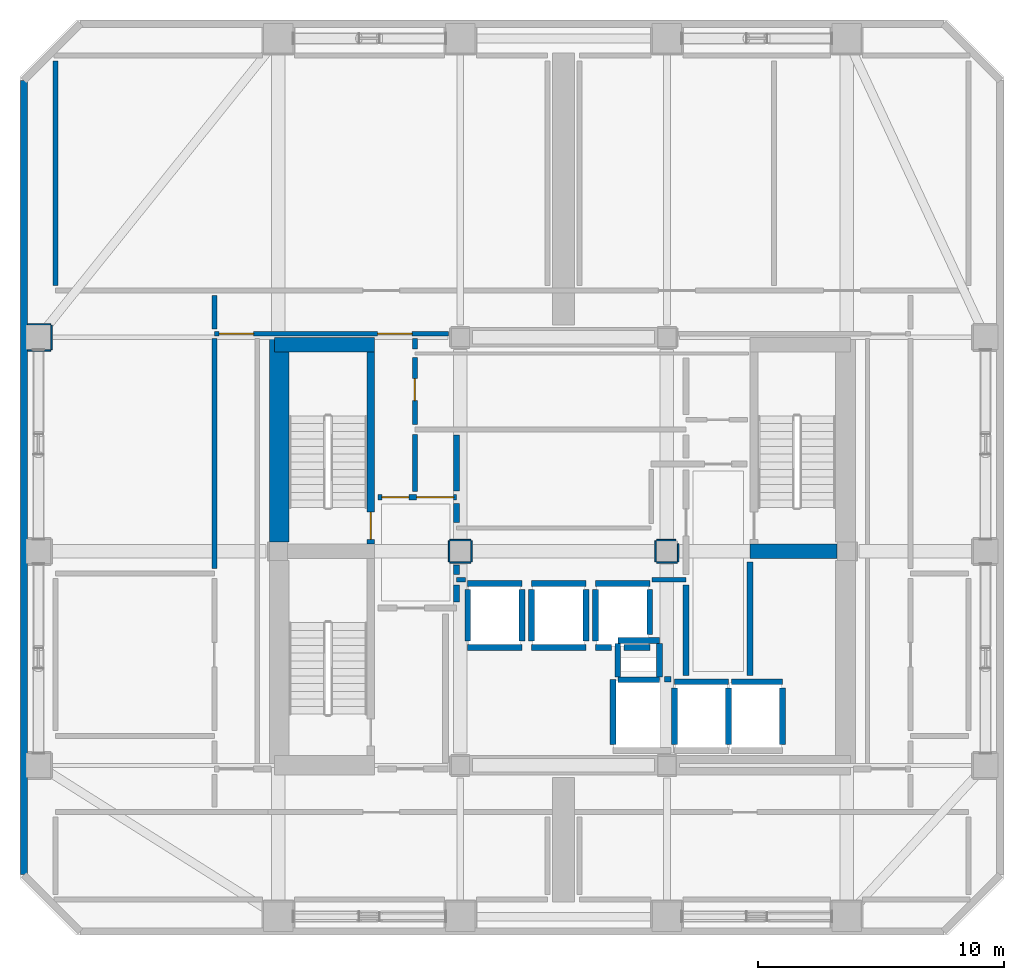
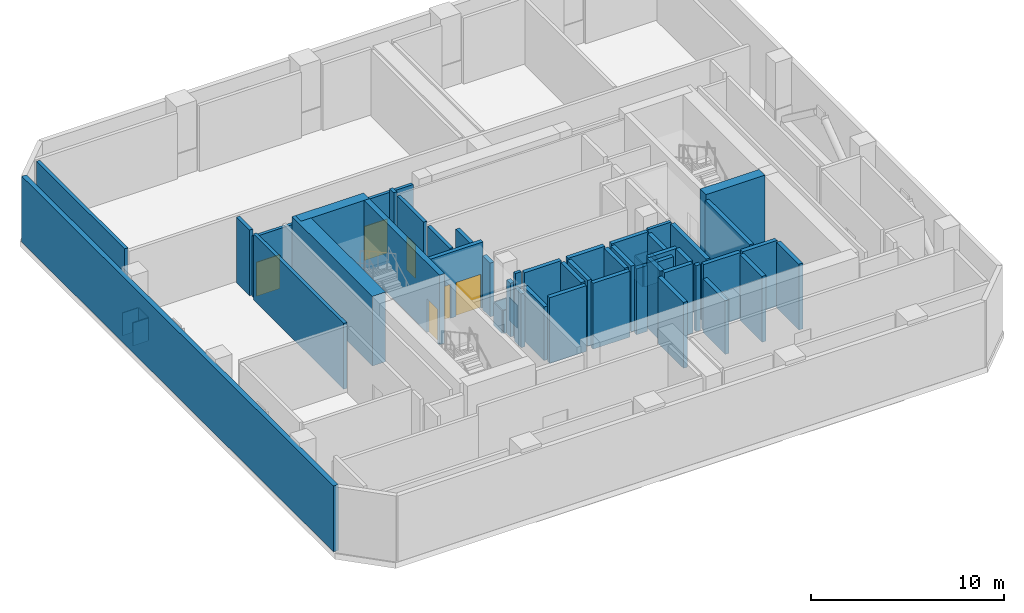
# One storey, part 9 of 12: 56 walls, 6 doors, 6 openings.
"""IFC4 building model written with IfcOpenShell, lengths in metres."""

import ifcopenshell
import ifcopenshell.guid

model = None  # the IFC model being written
_history = None  # IfcOwnerHistory: only IFC2X3 demands one
_inside = {}  # id of a spatial element -> (the spatial element, [elements in it])
_under = {}  # id of a project, library or spatial element -> (it, [spatial elements below it])
_declared = {}  # id of a project -> (the project, [libraries it declares])
_typed = {}  # id of a type object -> (the type object, [elements of that type])
_made_of = {}  # id of a material, layer set ... -> (it, [elements and type objects made of it])


def new_model(schema):
    """Start an empty IFC model of exactly this schema.

    Asked for "IFC4X3", IfcOpenShell would pick the latest addendum, in which some entities
    have other attributes; the version numbers below select the first issue.
    IFC2X3 requires an IfcOwnerHistory on every rooted entity: one is made here for all.
    """
    global model, _history
    if schema == "IFC4X3":
        model = ifcopenshell.file(schema_version=(4, 3, 0, 0))
    else:
        model = ifcopenshell.file(schema=schema)
    _inside.clear()
    _under.clear()
    _declared.clear()
    _typed.clear()
    _made_of.clear()
    _history = None
    if model.schema == "IFC2X3":
        org = make("IfcOrganization", Name="unknown")
        user = make(
            "IfcPersonAndOrganization",
            ThePerson=make("IfcPerson", FamilyName="unknown"),
            TheOrganization=org,
        )
        app = make(
            "IfcApplication",
            ApplicationDeveloper=org,
            Version="unknown",
            ApplicationFullName="unknown",
            ApplicationIdentifier="unknown",
        )
        _history = make(
            "IfcOwnerHistory",
            OwningUser=user,
            OwningApplication=app,
            ChangeAction="ADDED",
            CreationDate=0,
        )
    return model


def make(cls, **values):
    """One entity of the class cls with the attributes given. An attribute that is None is left unset."""
    return model.create_entity(
        cls, **{name: value for name, value in values.items() if value is not None}
    )


def rooted(cls, **values):
    """An entity with a GlobalId (a new one), such as an element, a storey or a relation."""
    return make(cls, GlobalId=ifcopenshell.guid.new(), OwnerHistory=_history, **values)


def si_unit(unit_type, name, prefix=None):
    """IfcSIUnit, for example si_unit("LENGTHUNIT", "METRE", prefix="MILLI")."""
    return make("IfcSIUnit", UnitType=unit_type, Prefix=prefix, Name=name)


def assignment(units):
    """IfcUnitAssignment: the units of a project."""
    return None if units is None else make("IfcUnitAssignment", Units=units)


def point(xyz):
    """IfcCartesianPoint."""
    return None if xyz is None else make("IfcCartesianPoint", Coordinates=xyz)


def direction(xyz):
    """IfcDirection."""
    return None if xyz is None else make("IfcDirection", DirectionRatios=xyz)


def frame(location, z_axis=None, x_axis=None):
    """IfcAxis2Placement3D, a coordinate frame: its origin and axes. An axis left out is left unset."""
    return make(
        "IfcAxis2Placement3D",
        Location=point(location),
        Axis=direction(z_axis),
        RefDirection=direction(x_axis),
    )


def frame_2d(location, x_axis=None):
    """IfcAxis2Placement2D, a coordinate frame in the plane: its origin and x axis."""
    return make(
        "IfcAxis2Placement2D", Location=point(location), RefDirection=direction(x_axis)
    )


def origin():
    """The frame at (0, 0, 0) with its axes left unset."""
    return frame((0.0, 0.0, 0.0))


def place(relative_to, where):
    """IfcLocalPlacement: puts the frame where relative to a parent placement (None: the world)."""
    return make(
        "IfcLocalPlacement", PlacementRelTo=relative_to, RelativePlacement=where
    )


def context(
    kind, dimensions, precision=None, world=None, true_north=None, identifier=None
):
    """IfcGeometricRepresentationContext, for example the 3D "Model" context."""
    return make(
        "IfcGeometricRepresentationContext",
        ContextIdentifier=identifier,
        ContextType=kind,
        CoordinateSpaceDimension=dimensions,
        Precision=precision,
        WorldCoordinateSystem=world,
        TrueNorth=true_north,
    )


def subcontext(parent, identifier, kind, view, scale=None):
    """IfcGeometricRepresentationSubContext, for example "Body" below "Model"."""
    return make(
        "IfcGeometricRepresentationSubContext",
        ContextIdentifier=identifier,
        ContextType=kind,
        ParentContext=parent,
        TargetScale=scale,
        TargetView=view,
    )


def project(units=None, contexts=None):
    """IfcProject with its units and contexts."""
    return rooted(
        "IfcProject",
        Name="project",
        RepresentationContexts=contexts,
        UnitsInContext=assignment(units),
    )


def spatial(cls, under=None, at=None, **own):
    """A site, building, storey or space (cls), placed at a placement, below another one or the project."""
    s = rooted(cls, ObjectPlacement=at, **own)
    if under is not None:
        _under.setdefault(under.id(), (under, []))[1].append(s)
    return s


def profile(cls, at=None, kind="AREA", **sizes):
    """A parametric profile (cls). Its sizes go by their IFC names, for example OverallWidth=200.0."""
    return make(cls, ProfileType=kind, Position=at, **sizes)


def rectangle(**sizes):
    """IfcRectangleProfileDef."""
    return profile("IfcRectangleProfileDef", **sizes)


def extrude(swept, where, along, depth):
    """IfcExtrudedAreaSolid: the profile swept, set in the frame where, extruded along a direction by depth."""
    return make(
        "IfcExtrudedAreaSolid",
        SweptArea=swept,
        Position=where,
        ExtrudedDirection=direction(along),
        Depth=depth,
    )


def shape(context_of_items, identifier, shape_type, items):
    """IfcShapeRepresentation: the items that make up one representation, for example the "Body"."""
    return make(
        "IfcShapeRepresentation",
        ContextOfItems=context_of_items,
        RepresentationIdentifier=identifier,
        RepresentationType=shape_type,
        Items=items,
    )


def material(Name=None, Category=None):
    """IfcMaterial."""
    return make("IfcMaterial", Name=Name, Category=Category)


def layer(
    of_material, thickness, ventilated=None, Name=None, Category=None, Priority=None
):
    """IfcMaterialLayer: one layer of a wall or slab, of a material (None: an air gap)."""
    return make(
        "IfcMaterialLayer",
        Material=of_material,
        LayerThickness=thickness,
        IsVentilated=ventilated,
        Name=Name,
        Category=Category,
        Priority=Priority,
    )


def layer_set(layers, Name=None):
    """IfcMaterialLayerSet."""
    return make("IfcMaterialLayerSet", MaterialLayers=layers, LayerSetName=Name)


def made_of(thing, what):
    """Note that an element or type object is made of a material, layer set ...; save() writes the relation."""
    if what is not None:
        _made_of.setdefault(what.id(), (what, []))[1].append(thing)
    return thing


def type_object(cls, material=None, **own):
    """A type object (cls), such as IfcWallType, which elements share."""
    return made_of(rooted(cls, **own), material)


def element(
    cls,
    number,
    at=None,
    inside=None,
    cuts=None,
    type_object=None,
    material=None,
    context=None,
    identifier="Body",
    shape_type=None,
    held_by="IfcProductDefinitionShape",
    body=None,
    shapes=None,
    **own,
):
    """One element of the class cls, such as IfcWall. Its Tag is "e" and its number.

    at: its placement. inside: the storey or other place that contains it. cuts: it is an
    opening in that element (IfcRelVoidsElement). A single representation is given by context,
    identifier, shape_type and body (its items); several are given by shapes. held_by: the class
    of the entity that holds the representations. save() writes the other relations.
    """
    e = rooted(cls, Tag="e%d" % number, ObjectPlacement=at, **own)
    if body is not None:
        shapes = [shape(context, identifier, shape_type, body)]
    if shapes is not None:
        e.Representation = make(held_by, Representations=shapes)
    if inside is not None:
        _inside.setdefault(inside.id(), (inside, []))[1].append(e)
    if cuts is not None:
        rooted(
            "IfcRelVoidsElement", RelatingBuildingElement=cuts, RelatedOpeningElement=e
        )
    if type_object is not None:
        _typed.setdefault(type_object.id(), (type_object, []))[1].append(e)
    return made_of(e, material)


def fill(opening, filler):
    """IfcRelFillsElement: the door or window that sits in an opening."""
    return rooted(
        "IfcRelFillsElement",
        RelatingOpeningElement=opening,
        RelatedBuildingElement=filler,
    )


def aggregate(whole, parts):
    """IfcRelAggregates: a whole, such as a stair, and the parts it consists of."""
    return rooted("IfcRelAggregates", RelatingObject=whole, RelatedObjects=parts)


def save(model, path):
    """Write the relations noted so far, then the file.

    IfcRelAggregates (storeys below a building ...), IfcRelContainedInSpatialStructure (elements
    in a storey), IfcRelDefinesByType, IfcRelAssociatesMaterial and IfcRelDeclares: one each for
    every whole, place, type object, material and project.
    """
    for whole, parts in _under.values():
        aggregate(whole, parts)
    for where, things in _inside.values():
        rooted(
            "IfcRelContainedInSpatialStructure",
            RelatedElements=things,
            RelatingStructure=where,
        )
    for kind, things in _typed.values():
        rooted("IfcRelDefinesByType", RelatedObjects=things, RelatingType=kind)
    for what, things in _made_of.values():
        rooted("IfcRelAssociatesMaterial", RelatedObjects=things, RelatingMaterial=what)
    for by, libraries in _declared.values():
        rooted("IfcRelDeclares", RelatingContext=by, RelatedDefinitions=libraries)
    model.write(path)


model = new_model("IFC4")

# Units and contexts
model_context = context("Model", 3, precision=1e-05, world=origin(), true_north=direction((0.0, 1.0)))
body_context = subcontext(model_context, "Body", "Model", "MODEL_VIEW")
ifc_project = project(units=[si_unit("LENGTHUNIT", "METRE"), si_unit("AREAUNIT", "SQUARE_METRE"), si_unit("VOLUMEUNIT", "CUBIC_METRE"), si_unit("PLANEANGLEUNIT", "RADIAN"), si_unit("MASSUNIT", "GRAM", prefix="KILO")], contexts=[model_context])

# Site, building, storey
site_placement = place(None, origin())
site = spatial("IfcSite", under=ifc_project, at=site_placement, CompositionType="ELEMENT")
building_placement = place(site_placement, origin())
building = spatial("IfcBuilding", under=site, at=building_placement, Name="Solanera Arch Residences", CompositionType="ELEMENT")
storey_placement = place(building_placement, frame((0.0, 0.0, 172.47998046875)))
storey = spatial("IfcBuildingStorey", under=building, at=storey_placement, Name="L50", CompositionType="ELEMENT", Elevation=172.47998046875)

# Walls
ifc_material_1 = material(Name="Fire-Rated Gypsum Stud Partition", Category="gypsum")
ifc_layer_1 = layer(ifc_material_1, 0.06005859375)
ifc_layer_set_1 = layer_set([ifc_layer_1], Name="Fire-Rated Gypsum Stud Partition")
wall_type_1 = type_object("IfcWallType", Name="Column Acoustic Furring Wall 60", PredefinedType="PARTITIONING", material=ifc_layer_set_1)
for number, where, z_axis, x_axis, name in (
    (1, (20.375, 30.242919921875, 0.0), (0.0, 0.0, 1.0), (1.0, 0.0, 0.0), "L50 Column Furring 7S"),
    (2, (20.375, 31.156982421875, 0.0), (0.0, 0.0, 1.0), (1.0, 0.0, 0.0), "L50 Column Furring 7N"),
    (3, (20.343017578125, 30.27490234375, 0.0), (0.0, 0.0, 1.0), (0.0, 1.0, 0.0), "L50 Column Furring 7W"),
    (4, (21.257080078125, 30.27490234375, 0.0), (0.0, 0.0, 1.0), (0.0, 1.0, 0.0), "L50 Column Furring 7E"),
    (5, (28.77490234375, 30.242919921875, 0.0), (0.0, 0.0, 1.0), (1.0, 0.0, 0.0), "L50 Column Furring 8S"),
):
    element("IfcWall", number, at=place(storey_placement, frame(where, z_axis=z_axis, x_axis=x_axis)), inside=storey, type_object=wall_type_1, Name=name, PredefinedType="PARTITIONING", context=body_context, shape_type="SweptSolid", body=[
        extrude(rectangle(XDim=0.85009765625, YDim=0.06005859375, at=frame_2d((0.425048828125, 0.0))), origin(), (0.0, 0.0, 1.0), 1.449951171875),
    ])
wall_1_placement = place(storey_placement, frame((28.77490234375, 31.156982421875, 0.0), z_axis=(0.0, 0.0, 1.0), x_axis=(1.0, 0.0, 0.0)))
element("IfcWall", 6, at=wall_1_placement, inside=storey, type_object=wall_type_1, Name="L50 Column Furring 8N", PredefinedType="PARTITIONING", context=body_context, shape_type="SweptSolid", body=[
    extrude(rectangle(XDim=0.783203125, YDim=0.06005859375, at=frame_2d((0.3916015625, 0.0))), origin(), (0.0, 0.0, 1.0), 1.449951171875),
])
wall_2_placement = place(storey_placement, frame((28.742919921875, 30.27490234375, 0.0), z_axis=(0.0, 0.0, 1.0), x_axis=(0.0, 1.0, 0.0)))
element("IfcWall", 7, at=wall_2_placement, inside=storey, type_object=wall_type_1, Name="L50 Column Furring 8W", PredefinedType="PARTITIONING", context=body_context, shape_type="SweptSolid", body=[
    extrude(rectangle(XDim=0.85009765625, YDim=0.06005859375, at=frame_2d((0.425048828125, 0.0))), origin(), (0.0, 0.0, 1.0), 1.449951171875),
])
wall_3_placement = place(storey_placement, frame((29.656982421875, 30.27490234375, 0.0), z_axis=(0.0, 0.0, 1.0), x_axis=(0.0, 1.0, 0.0)))
element("IfcWall", 8, at=wall_3_placement, inside=storey, type_object=wall_type_1, Name="L50 Column Furring 8E", PredefinedType="PARTITIONING", context=body_context, shape_type="SweptSolid", body=[
    extrude(rectangle(XDim=0.732177734375, YDim=0.06005859375, at=frame_2d((0.3662109375, 0.0))), origin(), (0.0, 0.0, 1.0), 1.449951171875),
])
for number, where, z_axis, x_axis, name in (
    (9, (3.2099609375, 38.867919921875, 0.0), (0.0, 0.0, 1.0), (1.0, 0.0, 0.0), "L50 Column Furring 21S"),
    (10, (3.2099609375, 39.931884765625, 0.0), (0.0, 0.0, 1.0), (1.0, 0.0, 0.0), "L50 Column Furring 21N"),
):
    element("IfcWall", number, at=place(storey_placement, frame(where, z_axis=z_axis, x_axis=x_axis)), inside=storey, type_object=wall_type_1, Name=name, PredefinedType="PARTITIONING", context=body_context, shape_type="SweptSolid", body=[
        extrude(rectangle(XDim=0.93994140625, YDim=0.06005859375, at=frame_2d((0.469970703125, 0.0))), origin(), (0.0, 0.0, 1.0), 1.449951171875),
    ])
wall_4_placement = place(storey_placement, frame((4.181884765625, 38.89990234375, 0.0), z_axis=(0.0, 0.0, 1.0), x_axis=(0.0, 1.0, 0.0)))
element("IfcWall", 11, at=wall_4_placement, inside=storey, type_object=wall_type_1, Name="L50 Column Furring 21E", PredefinedType="PARTITIONING", context=body_context, shape_type="SweptSolid", body=[
    extrude(rectangle(XDim=1.0, YDim=0.06005859375, at=frame_2d((0.5, 0.0))), origin(), (0.0, 0.0, 1.0), 1.449951171875),
])

# Wall, opening, door
ifc_material_2 = material(Name="Concrete C40/50 (f'c = 45 MPa)", Category="concrete")
ifc_layer_2 = layer(ifc_material_2, 0.320068359375)
ifc_layer_set_2 = layer_set([ifc_layer_2], Name="Concrete C40/50 (f'c = 45 MPa)")
wall_type_2 = type_object("IfcWallType", Name="Core Shear Wall CW-320", PredefinedType="SHEAR", material=ifc_layer_set_2)
wall_5_placement = place(storey_placement, frame((17.159912109375, 31.0, 0.0), z_axis=(0.0, 0.0, 1.0), x_axis=(0.0, 1.0, 0.0)))
wall_5 = element("IfcWall", 12, at=wall_5_placement, inside=storey, type_object=wall_type_2, Name="L50 Stair ST-T1 East Shear Wall", PredefinedType="SHEAR", context=body_context, shape_type="SweptSolid", body=[
    extrude(rectangle(XDim=7.800048828125, YDim=0.320068359375, at=frame_2d((3.89990234375, 0.0))), origin(), (0.0, 0.0, 1.0), 4.39990234375),
])
opening_1_placement = place(wall_5_placement, frame((0.18994140625, 0.0, 0.0)))
opening_1 = element("IfcOpeningElement", 13, at=opening_1_placement, cuts=wall_5, Name="Opening DF-01", PredefinedType="OPENING", context=body_context, shape_type="SweptSolid", body=[
    extrude(rectangle(XDim=1.10009765625, YDim=2.14990234375, at=frame_2d((0.550048828125, 1.074951171875))), frame((0.0, 0.169921875, 0.0), z_axis=(0.0, -1.0, 0.0), x_axis=(1.0, 0.0, 0.0)), (0.0, 0.0, 1.0), 0.3401),
])
ifc_material_3 = material(Name="Fire-Rated Architectural Hardwood", Category="wood")
door_type_1 = type_object("IfcDoorType", Name="Stair Exit Fire Door DF-01", OperationType="NOTDEFINED", PredefinedType="DOOR", material=ifc_material_3)
door_1_placement = place(opening_1_placement, origin())
door_1 = element("IfcDoor", 14, at=door_1_placement, inside=storey, type_object=door_type_1, Name="DR-L50-STAIR-ST-T1", OperationType="SINGLE_SWING_RIGHT", OverallHeight=2.14990234375, OverallWidth=1.10009765625, PredefinedType="DOOR", context=body_context, shape_type="SweptSolid", body=[
    extrude(rectangle(XDim=1.10009765625, YDim=2.14990234375, at=frame_2d((0.550048828125, 1.074951171875))), frame((0.0, 0.02490234375, 0.0), z_axis=(0.0, -1.0, 0.0), x_axis=(1.0, 0.0, 0.0)), (0.0, 0.0, 1.0), 0.050048828125),
])
fill(opening_1, door_1)

# Walls
ifc_material_4 = material(Name="Concrete C40/50 (f'c = 45 MPa)", Category="concrete")
ifc_layer_3 = layer(ifc_material_4, 0.60009765625)
ifc_layer_set_3 = layer_set([ifc_layer_3], Name="Concrete C40/50 (f'c = 45 MPa)")
wall_type_3 = type_object("IfcWallType", Name="Core Shear Wall CW-600", PredefinedType="SHEAR", material=ifc_layer_set_3)
wall_6_placement = place(storey_placement, frame((13.239990234375, 39.10009765625, 0.0), z_axis=(0.0, 0.0, 1.0), x_axis=(1.0, 0.0, 0.0)))
element("IfcWall", 15, at=wall_6_placement, inside=storey, type_object=wall_type_3, Name="L50 North-West Core Shear Wall", PredefinedType="SHEAR", context=body_context, shape_type="SweptSolid", body=[
    extrude(rectangle(XDim=4.080078125, YDim=0.60009765625, at=frame_2d((2.0400390625, 0.0))), origin(), (0.0, 0.0, 1.0), 4.39990234375),
])
wall_7_placement = place(storey_placement, frame((32.580078125, 30.699951171875, 0.0), z_axis=(0.0, 0.0, 1.0), x_axis=(1.0, 0.0, 0.0)))
element("IfcWall", 16, at=wall_7_placement, inside=storey, type_object=wall_type_3, Name="L50 East Stair Far-Landing Shear Wall", PredefinedType="SHEAR", context=body_context, shape_type="SweptSolid", body=[
    extrude(rectangle(XDim=3.5400390625, YDim=0.60009765625, at=frame_2d((1.77001953125, 0.0))), origin(), (0.0, 0.0, 1.0), 4.39990234375),
])
ifc_material_5 = material(Name="Concrete C40/50 (f'c = 45 MPa)", Category="concrete")
ifc_layer_4 = layer(ifc_material_5, 0.800048828125)
ifc_layer_set_4 = layer_set([ifc_layer_4], Name="Concrete C40/50 (f'c = 45 MPa)")
wall_type_4 = type_object("IfcWallType", Name="Core Shear Wall CW-800", PredefinedType="SHEAR", material=ifc_layer_set_4)
wall_8_placement = place(storey_placement, frame((13.43994140625, 31.080078125, 0.0), z_axis=(0.0, 0.0, 1.0), x_axis=(0.0, 1.0, 0.0)))
element("IfcWall", 17, at=wall_8_placement, inside=storey, type_object=wall_type_4, Name="L50 West Core North Shear Wall", PredefinedType="SHEAR", context=body_context, shape_type="SweptSolid", body=[
    extrude(rectangle(XDim=8.31982421875, YDim=0.800048828125, at=frame_2d((4.159912109375, 0.0))), origin(), (0.0, 0.0, 1.0), 4.39990234375),
])
ifc_material_6 = material(Name="Autoclaved Aerated Concrete Blockwork", Category="masonry")
ifc_layer_5 = layer(ifc_material_6, 0.179931640625)
ifc_layer_set_5 = layer_set([ifc_layer_5], Name="Autoclaved Aerated Concrete Blockwork")
wall_type_5 = type_object("IfcWallType", Name="Corridor Fire Partition 180", PredefinedType="PARTITIONING", material=ifc_layer_set_5)
wall_9_placement = place(storey_placement, frame((20.64990234375, 29.550048828125, 0.0), z_axis=(0.0, 0.0, 1.0), x_axis=(1.0, 0.0, 0.0)))
element("IfcWall", 18, at=wall_9_placement, inside=storey, type_object=wall_type_5, Name="L50 Interior Partition H17 1", PredefinedType="PARTITIONING", context=body_context, shape_type="SweptSolid", body=[
    extrude(rectangle(XDim=0.357177734375, YDim=0.179931640625, at=frame_2d((0.1787109375, 0.0))), origin(), (0.0, 0.0, 1.0), 4.159912109375),
])
wall_10_placement = place(storey_placement, frame((28.593017578125, 29.550048828125, 0.0), z_axis=(0.0, 0.0, 1.0), x_axis=(1.0, 0.0, 0.0)))
element("IfcWall", 19, at=wall_10_placement, inside=storey, type_object=wall_type_5, Name="L50 Interior Partition H17 2", PredefinedType="PARTITIONING", context=body_context, shape_type="SweptSolid", body=[
    extrude(rectangle(XDim=1.382080078125, YDim=0.179931640625, at=frame_2d((0.69091796875, 0.0))), origin(), (0.0, 0.0, 1.0), 4.159912109375),
])

# Wall, openings, doors
wall_11_placement = place(storey_placement, frame((10.800048828125, 39.550048828125, 0.0), z_axis=(0.0, 0.0, 1.0), x_axis=(1.0, 0.0, 0.0)))
wall_11 = element("IfcWall", 20, at=wall_11_placement, inside=storey, type_object=wall_type_5, Name="L50 Interior Partition H20 1", PredefinedType="PARTITIONING", context=body_context, shape_type="SweptSolid", body=[
    extrude(rectangle(XDim=9.52294921875, YDim=0.179931640625, at=frame_2d((4.761474609375, 0.0))), origin(), (0.0, 0.0, 1.0), 3.842041015625),
])
opening_2_placement = place(wall_11_placement, frame((6.635009765625, 0.0, 0.0)))
opening_2 = element("IfcOpeningElement", 21, at=opening_2_placement, cuts=wall_11, Name="Opening DF-03", PredefinedType="OPENING", context=body_context, shape_type="SweptSolid", body=[
    extrude(rectangle(XDim=1.39990234375, YDim=2.14990234375, at=frame_2d((0.699951171875, 1.074951171875))), frame((0.0, 0.10009765625, 0.0), z_axis=(0.0, -1.0, 0.0), x_axis=(1.0, 0.0, 0.0)), (0.0, 0.0, 1.0), 0.1999),
])
opening_3_placement = place(wall_11_placement, frame((0.198974609375, 0.0, 0.0)))
opening_3 = element("IfcOpeningElement", 22, at=opening_3_placement, cuts=wall_11, Name="Opening DF-03", PredefinedType="OPENING", context=body_context, shape_type="SweptSolid", body=[
    extrude(rectangle(XDim=1.39990234375, YDim=2.14990234375, at=frame_2d((0.699951171875, 1.074951171875))), frame((0.0, 0.10009765625, 0.0), z_axis=(0.0, -1.0, 0.0), x_axis=(1.0, 0.0, 0.0)), (0.0, 0.0, 1.0), 0.1999),
])
ifc_material_7 = material(Name="Fire-Rated Architectural Hardwood", Category="wood")
door_type_2 = type_object("IfcDoorType", Name="Corridor Smoke Door DF-03", OperationType="NOTDEFINED", PredefinedType="DOOR", material=ifc_material_7)
door_2_placement = place(opening_2_placement, origin())
door_2 = element("IfcDoor", 23, at=door_2_placement, inside=storey, type_object=door_type_2, Name="DR-L50-IN-009", OperationType="SINGLE_SWING_RIGHT", OverallHeight=2.14990234375, OverallWidth=1.39990234375, PredefinedType="DOOR", context=body_context, shape_type="SweptSolid", body=[
    extrude(rectangle(XDim=1.39990234375, YDim=2.14990234375, at=frame_2d((0.699951171875, 1.074951171875))), frame((0.0, 0.02490234375, 0.0), z_axis=(0.0, -1.0, 0.0), x_axis=(1.0, 0.0, 0.0)), (0.0, 0.0, 1.0), 0.050048828125),
])
fill(opening_2, door_2)
door_3_placement = place(opening_3_placement, origin())
door_3 = element("IfcDoor", 24, at=door_3_placement, inside=storey, type_object=door_type_2, Name="DR-L50-IN-012", OperationType="SINGLE_SWING_LEFT", OverallHeight=2.14990234375, OverallWidth=1.39990234375, PredefinedType="DOOR", context=body_context, shape_type="SweptSolid", body=[
    extrude(rectangle(XDim=1.39990234375, YDim=2.14990234375, at=frame_2d((0.699951171875, 1.074951171875))), frame((0.0, 0.02490234375, 0.0), z_axis=(0.0, -1.0, 0.0), x_axis=(1.0, 0.0, 0.0)), (0.0, 0.0, 1.0), 0.050048828125),
])
fill(opening_3, door_3)

# Walls
ifc_material_8 = material(Name="Precast Concrete C35/45", Category="concrete")
ifc_layer_6 = layer(ifc_material_8, 0.280029296875)
ifc_layer_set_6 = layer_set([ifc_layer_6], Name="Precast Concrete C35/45")
wall_type_6 = type_object("IfcWallType", Name="Exterior Wall Precast Masonry-Frame 280", PredefinedType="STANDARD", material=ifc_layer_set_6)
wall_12_placement = place(storey_placement, frame((3.054931640625, 17.554931640625, 0.0), z_axis=(0.0, 0.0, 1.0), x_axis=(0.0, 1.0, 0.0)))
element("IfcWall", 25, at=wall_12_placement, inside=storey, type_object=wall_type_6, Name="L50 Tower Exterior Precast Masonry-Frame Wall W", PredefinedType="STANDARD", context=body_context, shape_type="SweptSolid", body=[
    extrude(rectangle(XDim=32.2900390625, YDim=0.280029296875, at=frame_2d((16.14501953125, 0.0))), origin(), (0.0, 0.0, 1.0), 4.159912109375),
])
ifc_material_9 = material(Name="Autoclaved Aerated Concrete Blockwork", Category="masonry")
ifc_layer_7 = layer(ifc_material_9, 0.199951171875)
ifc_layer_set_7 = layer_set([ifc_layer_7], Name="Autoclaved Aerated Concrete Blockwork")
wall_type_7 = type_object("IfcWallType", Name="Party Wall Acoustic 200", PredefinedType="PARTITIONING", material=ifc_layer_set_7)
wall_13_placement = place(storey_placement, frame((4.35009765625, 41.508056640625, 0.0), z_axis=(0.0, 0.0, 1.0), x_axis=(0.0, 1.0, 0.0)))
element("IfcWall", 26, at=wall_13_placement, inside=storey, type_object=wall_type_7, Name="L50 Interior Partition V8", PredefinedType="PARTITIONING", context=body_context, shape_type="SweptSolid", body=[
    extrude(rectangle(XDim=9.134033203125, YDim=0.199951171875, at=frame_2d((4.56689453125, 0.0))), origin(), (0.0, 0.0, 1.0), 4.159912109375),
])
wall_14_placement = place(storey_placement, frame((10.800048828125, 30.008056640625, 0.0), z_axis=(0.0, 0.0, 1.0), x_axis=(0.0, 1.0, 0.0)))
element("IfcWall", 27, at=wall_14_placement, inside=storey, type_object=wall_type_7, Name="L50 Interior Partition V9 4", PredefinedType="PARTITIONING", context=body_context, shape_type="SweptSolid", body=[
    extrude(rectangle(XDim=9.343994140625, YDim=0.199951171875, at=frame_2d((4.671875, 0.0))), origin(), (0.0, 0.0, 1.0), 4.159912109375),
])
wall_15_placement = place(storey_placement, frame((10.800048828125, 39.748046875, 0.0), z_axis=(0.0, 0.0, 1.0), x_axis=(0.0, 1.0, 0.0)))
element("IfcWall", 28, at=wall_15_placement, inside=storey, type_object=wall_type_7, Name="L50 Interior Partition V9 5", PredefinedType="PARTITIONING", context=body_context, shape_type="SweptSolid", body=[
    extrude(rectangle(XDim=1.343994140625, YDim=0.199951171875, at=frame_2d((0.671875, 0.0))), origin(), (0.0, 0.0, 1.0), 4.159912109375),
])
wall_16_placement = place(storey_placement, frame((18.949951171875, 33.1279296875, 0.0), z_axis=(0.0, 0.0, 1.0), x_axis=(0.0, 1.0, 0.0)))
element("IfcWall", 29, at=wall_16_placement, inside=storey, type_object=wall_type_7, Name="L50 Interior Partition V10 1", PredefinedType="PARTITIONING", context=body_context, shape_type="SweptSolid", body=[
    extrude(rectangle(XDim=2.31396484375, YDim=0.199951171875, at=frame_2d((1.156982421875, 0.0))), origin(), (0.0, 0.0, 1.0), 4.159912109375),
])

# Wall, opening, door
wall_17_placement = place(storey_placement, frame((18.949951171875, 35.85791015625, 0.0), z_axis=(0.0, 0.0, 1.0), x_axis=(0.0, 1.0, 0.0)))
wall_17 = element("IfcWall", 30, at=wall_17_placement, inside=storey, type_object=wall_type_7, Name="L50 Interior Partition V10 2", PredefinedType="PARTITIONING", context=body_context, shape_type="SweptSolid", body=[
    extrude(rectangle(XDim=2.72412109375, YDim=0.199951171875, at=frame_2d((1.362060546875, 0.0))), origin(), (0.0, 0.0, 1.0), 4.159912109375),
])
opening_4_placement = place(wall_17_placement, frame((0.967041015625, 0.0, 0.0)))
opening_4 = element("IfcOpeningElement", 31, at=opening_4_placement, cuts=wall_17, Name="Opening DI-02", PredefinedType="OPENING", context=body_context, shape_type="SweptSolid", body=[
    extrude(rectangle(XDim=0.89990234375, YDim=2.10009765625, at=frame_2d((0.449951171875, 1.050048828125))), frame((0.0, 0.110107421875, 0.0), z_axis=(0.0, -1.0, 0.0), x_axis=(1.0, 0.0, 0.0)), (0.0, 0.0, 1.0), 0.22),
])
ifc_material_10 = material(Name="Fire-Rated Architectural Hardwood", Category="wood")
door_type_3 = type_object("IfcDoorType", Name="Suite Room Swing Door DI-02", OperationType="NOTDEFINED", PredefinedType="DOOR", material=ifc_material_10)
door_4_placement = place(opening_4_placement, origin())
door_4 = element("IfcDoor", 32, at=door_4_placement, inside=storey, type_object=door_type_3, Name="DR-L50-IN-016", OperationType="SINGLE_SWING_LEFT", OverallHeight=2.10009765625, OverallWidth=0.89990234375, PredefinedType="DOOR", context=body_context, shape_type="SweptSolid", body=[
    extrude(rectangle(XDim=0.89990234375, YDim=2.10009765625, at=frame_2d((0.449951171875, 1.050048828125))), frame((0.0, 0.02490234375, 0.0), z_axis=(0.0, -1.0, 0.0), x_axis=(1.0, 0.0, 0.0)), (0.0, 0.0, 1.0), 0.050048828125),
])
fill(opening_4, door_4)

# Walls
wall_18_placement = place(storey_placement, frame((18.949951171875, 38.91796875, 0.0), z_axis=(0.0, 0.0, 1.0), x_axis=(0.0, 1.0, 0.0)))
element("IfcWall", 33, at=wall_18_placement, inside=storey, type_object=wall_type_7, Name="L50 Interior Partition V10 3", PredefinedType="PARTITIONING", context=body_context, shape_type="SweptSolid", body=[
    extrude(rectangle(XDim=0.43408203125, YDim=0.199951171875, at=frame_2d((0.217041015625, 0.0))), origin(), (0.0, 0.0, 1.0), 4.159912109375),
])
ifc_material_11 = material(Name="Concrete C40/50 (f'c = 45 MPa)", Category="concrete")
ifc_layer_8 = layer(ifc_material_11, 0.239990234375)
ifc_layer_set_8 = layer_set([ifc_layer_8], Name="Concrete C40/50 (f'c = 45 MPa)")
wall_type_8 = type_object("IfcWallType", Name="Ramp Bearing Shear Wall RW-240", PredefinedType="SHEAR", material=ifc_layer_set_8)
for number, where, z_axis, x_axis, name in (
    (34, (27.199951171875, 25.47998046875, 0.0), (0.0, 0.0, 1.0), (1.0, 0.0, 0.0), "L50 Core MEP Riser South Shaft Wall"),
    (35, (27.199951171875, 27.080078125, 0.0), (0.0, 0.0, 1.0), (1.0, 0.0, 0.0), "L50 Core MEP Riser North Shaft Wall"),
):
    element("IfcWall", number, at=place(storey_placement, frame(where, z_axis=z_axis, x_axis=x_axis)), inside=storey, type_object=wall_type_8, Name=name, PredefinedType="SHEAR", context=body_context, shape_type="SweptSolid", body=[
        extrude(rectangle(XDim=1.699951171875, YDim=0.239990234375, at=frame_2d((0.85009765625, 0.0))), origin(), (0.0, 0.0, 1.0), 4.39990234375),
    ])
for number, where, z_axis, x_axis, name in (
    (36, (27.199951171875, 25.60009765625, 0.0), (0.0, 0.0, 1.0), (0.0, 1.0, 0.0), "L50 Core MEP Riser West Shaft Wall"),
    (37, (28.89990234375, 25.60009765625, 0.0), (0.0, 0.0, 1.0), (0.0, 1.0, 0.0), "L50 Core MEP Riser East Shaft Wall"),
):
    element("IfcWall", number, at=place(storey_placement, frame(where, z_axis=z_axis, x_axis=x_axis)), inside=storey, type_object=wall_type_8, Name=name, PredefinedType="SHEAR", context=body_context, shape_type="SweptSolid", body=[
        extrude(rectangle(XDim=1.35986328125, YDim=0.239990234375, at=frame_2d((0.679931640625, 0.0))), origin(), (0.0, 0.0, 1.0), 4.39990234375),
    ])
ifc_material_12 = material(Name="Autoclaved Aerated Concrete Blockwork", Category="masonry")
ifc_layer_9 = layer(ifc_material_12, 0.239990234375)
ifc_layer_set_9 = layer_set([ifc_layer_9], Name="Autoclaved Aerated Concrete Blockwork")
wall_type_9 = type_object("IfcWallType", Name="Shaft Wall Fire-Rated 240", PredefinedType="PARTITIONING", material=ifc_layer_set_9)
for number, where, z_axis, x_axis, name in (
    (38, (21.10009765625, 26.800048828125, 0.0), (0.0, 0.0, 1.0), (1.0, 0.0, 0.0), "L50 Lift PL-H1 Hoistway Wall S"),
    (39, (21.10009765625, 29.39990234375, 0.0), (0.0, 0.0, 1.0), (1.0, 0.0, 0.0), "L50 Lift PL-H1 Hoistway Wall N"),
):
    element("IfcWall", number, at=place(storey_placement, frame(where, z_axis=z_axis, x_axis=x_axis)), inside=storey, type_object=wall_type_9, Name=name, PredefinedType="PARTITIONING", context=body_context, shape_type="SweptSolid", body=[
        extrude(rectangle(XDim=2.199951171875, YDim=0.239990234375, at=frame_2d((1.10009765625, 0.0))), origin(), (0.0, 0.0, 1.0), 4.159912109375),
    ])
wall_19_placement = place(storey_placement, frame((21.10009765625, 27.048095703125, 0.0), z_axis=(0.0, 0.0, 1.0), x_axis=(0.0, 1.0, 0.0)))
element("IfcWall", 40, at=wall_19_placement, inside=storey, type_object=wall_type_9, Name="L50 Lift PL-H1 Hoistway Wall W", PredefinedType="PARTITIONING", context=body_context, shape_type="SweptSolid", body=[
    extrude(rectangle(XDim=2.10400390625, YDim=0.239990234375, at=frame_2d((1.052001953125, 0.0))), origin(), (0.0, 0.0, 1.0), 3.39501953125),
])
wall_20_placement = place(storey_placement, frame((23.300048828125, 27.048095703125, 0.0), z_axis=(0.0, 0.0, 1.0), x_axis=(0.0, 1.0, 0.0)))
element("IfcWall", 41, at=wall_20_placement, inside=storey, type_object=wall_type_9, Name="L50 Lift PL-H1 Hoistway Wall E", PredefinedType="PARTITIONING", context=body_context, shape_type="SweptSolid", body=[
    extrude(rectangle(XDim=2.10400390625, YDim=0.239990234375, at=frame_2d((1.052001953125, 0.0))), origin(), (0.0, 0.0, 1.0), 4.159912109375),
])
for number, where, z_axis, x_axis, name in (
    (42, (23.699951171875, 26.800048828125, 0.0), (0.0, 0.0, 1.0), (1.0, 0.0, 0.0), "L50 Lift PL-H2 Hoistway Wall S"),
    (43, (23.699951171875, 29.39990234375, 0.0), (0.0, 0.0, 1.0), (1.0, 0.0, 0.0), "L50 Lift PL-H2 Hoistway Wall N"),
):
    element("IfcWall", number, at=place(storey_placement, frame(where, z_axis=z_axis, x_axis=x_axis)), inside=storey, type_object=wall_type_9, Name=name, PredefinedType="PARTITIONING", context=body_context, shape_type="SweptSolid", body=[
        extrude(rectangle(XDim=2.199951171875, YDim=0.239990234375, at=frame_2d((1.10009765625, 0.0))), origin(), (0.0, 0.0, 1.0), 4.159912109375),
    ])
for number, where, z_axis, x_axis, name in (
    (44, (23.699951171875, 27.048095703125, 0.0), (0.0, 0.0, 1.0), (0.0, 1.0, 0.0), "L50 Lift PL-H2 Hoistway Wall W"),
    (45, (25.89990234375, 27.048095703125, 0.0), (0.0, 0.0, 1.0), (0.0, 1.0, 0.0), "L50 Lift PL-H2 Hoistway Wall E"),
):
    element("IfcWall", number, at=place(storey_placement, frame(where, z_axis=z_axis, x_axis=x_axis)), inside=storey, type_object=wall_type_9, Name=name, PredefinedType="PARTITIONING", context=body_context, shape_type="SweptSolid", body=[
        extrude(rectangle(XDim=2.10400390625, YDim=0.239990234375, at=frame_2d((1.052001953125, 0.0))), origin(), (0.0, 0.0, 1.0), 4.159912109375),
    ])
wall_21_placement = place(storey_placement, frame((26.300048828125, 26.800048828125, 0.0), z_axis=(0.0, 0.0, 1.0), x_axis=(1.0, 0.0, 0.0)))
element("IfcWall", 46, at=wall_21_placement, inside=storey, type_object=wall_type_9, Name="L50 Lift PL-H3 Hoistway Wall S 1", PredefinedType="PARTITIONING", context=body_context, shape_type="SweptSolid", body=[
    extrude(rectangle(XDim=0.64990234375, YDim=0.239990234375, at=frame_2d((0.324951171875, 0.0))), origin(), (0.0, 0.0, 1.0), 4.159912109375),
])
wall_22_placement = place(storey_placement, frame((27.449951171875, 26.800048828125, 0.0), z_axis=(0.0, 0.0, 1.0), x_axis=(1.0, 0.0, 0.0)))
element("IfcWall", 47, at=wall_22_placement, inside=storey, type_object=wall_type_9, Name="L50 Lift PL-H3 Hoistway Wall S 2", PredefinedType="PARTITIONING", context=body_context, shape_type="SweptSolid", body=[
    extrude(rectangle(XDim=1.050048828125, YDim=0.239990234375, at=frame_2d((0.52490234375, 0.0))), origin(), (0.0, 0.0, 1.0), 4.159912109375),
])
wall_23_placement = place(storey_placement, frame((26.300048828125, 29.39990234375, 0.0), z_axis=(0.0, 0.0, 1.0), x_axis=(1.0, 0.0, 0.0)))
element("IfcWall", 48, at=wall_23_placement, inside=storey, type_object=wall_type_9, Name="L50 Lift PL-H3 Hoistway Wall N", PredefinedType="PARTITIONING", context=body_context, shape_type="SweptSolid", body=[
    extrude(rectangle(XDim=2.199951171875, YDim=0.239990234375, at=frame_2d((1.10009765625, 0.0))), origin(), (0.0, 0.0, 1.0), 4.159912109375),
])
wall_24_placement = place(storey_placement, frame((26.300048828125, 27.048095703125, 0.0), z_axis=(0.0, 0.0, 1.0), x_axis=(0.0, 1.0, 0.0)))
element("IfcWall", 49, at=wall_24_placement, inside=storey, type_object=wall_type_9, Name="L50 Lift PL-H3 Hoistway Wall W", PredefinedType="PARTITIONING", context=body_context, shape_type="SweptSolid", body=[
    extrude(rectangle(XDim=2.10400390625, YDim=0.239990234375, at=frame_2d((1.052001953125, 0.0))), origin(), (0.0, 0.0, 1.0), 4.159912109375),
])
wall_25_placement = place(storey_placement, frame((28.5, 27.330078125, 0.0), z_axis=(0.0, 0.0, 1.0), x_axis=(0.0, 1.0, 0.0)))
element("IfcWall", 50, at=wall_25_placement, inside=storey, type_object=wall_type_9, Name="L50 Lift PL-H3 Hoistway Wall E", PredefinedType="PARTITIONING", context=body_context, shape_type="SweptSolid", body=[
    extrude(rectangle(XDim=1.822021484375, YDim=0.239990234375, at=frame_2d((0.9111328125, 0.0))), origin(), (0.0, 0.0, 1.0), 4.159912109375),
])
wall_26_placement = place(storey_placement, frame((29.5, 25.39990234375, 0.0), z_axis=(0.0, 0.0, 1.0), x_axis=(1.0, 0.0, 0.0)))
element("IfcWall", 51, at=wall_26_placement, inside=storey, type_object=wall_type_9, Name="L50 Lift FFL-1 Hoistway Wall N", PredefinedType="PARTITIONING", context=body_context, shape_type="SweptSolid", body=[
    extrude(rectangle(XDim=2.199951171875, YDim=0.239990234375, at=frame_2d((1.10009765625, 0.0))), origin(), (0.0, 0.0, 1.0), 4.159912109375),
])
wall_27_placement = place(storey_placement, frame((29.5, 22.847900390625, 0.0), z_axis=(0.0, 0.0, 1.0), x_axis=(0.0, 1.0, 0.0)))
element("IfcWall", 52, at=wall_27_placement, inside=storey, type_object=wall_type_9, Name="L50 Lift FFL-1 Hoistway Wall W", PredefinedType="PARTITIONING", context=body_context, shape_type="SweptSolid", body=[
    extrude(rectangle(XDim=2.30419921875, YDim=0.239990234375, at=frame_2d((1.152099609375, 0.0))), origin(), (0.0, 0.0, 1.0), 3.39501953125),
])
wall_28_placement = place(storey_placement, frame((31.699951171875, 22.847900390625, 0.0), z_axis=(0.0, 0.0, 1.0), x_axis=(0.0, 1.0, 0.0)))
element("IfcWall", 53, at=wall_28_placement, inside=storey, type_object=wall_type_9, Name="L50 Lift FFL-1 Hoistway Wall E", PredefinedType="PARTITIONING", context=body_context, shape_type="SweptSolid", body=[
    extrude(rectangle(XDim=2.30419921875, YDim=0.239990234375, at=frame_2d((1.152099609375, 0.0))), origin(), (0.0, 0.0, 1.0), 4.159912109375),
])
wall_29_placement = place(storey_placement, frame((31.827880859375, 25.39990234375, 0.0), z_axis=(0.0, 0.0, 1.0), x_axis=(1.0, 0.0, 0.0)))
element("IfcWall", 54, at=wall_29_placement, inside=storey, type_object=wall_type_9, Name="L50 Lift FFL-2 Hoistway Wall N", PredefinedType="PARTITIONING", context=body_context, shape_type="SweptSolid", body=[
    extrude(rectangle(XDim=2.072021484375, YDim=0.239990234375, at=frame_2d((1.0361328125, 0.0))), origin(), (0.0, 0.0, 1.0), 4.159912109375),
])
wall_30_placement = place(storey_placement, frame((33.89990234375, 22.847900390625, 0.0), z_axis=(0.0, 0.0, 1.0), x_axis=(0.0, 1.0, 0.0)))
element("IfcWall", 55, at=wall_30_placement, inside=storey, type_object=wall_type_9, Name="L50 Lift FFL-2 Hoistway Wall E", PredefinedType="PARTITIONING", context=body_context, shape_type="SweptSolid", body=[
    extrude(rectangle(XDim=2.30419921875, YDim=0.239990234375, at=frame_2d((1.152099609375, 0.0))), origin(), (0.0, 0.0, 1.0), 4.159912109375),
])
wall_31_placement = place(storey_placement, frame((29.10302734375, 25.5, 0.0), z_axis=(0.0, 0.0, 1.0), x_axis=(1.0, 0.0, 0.0)))
element("IfcWall", 56, at=wall_31_placement, inside=storey, type_object=wall_type_9, Name="L50 Lift SVL-1 Hoistway Wall N", PredefinedType="PARTITIONING", context=body_context, shape_type="SweptSolid", body=[
    extrude(rectangle(XDim=0.26904296875, YDim=0.239990234375, at=frame_2d((0.134521484375, 0.0))), origin(), (0.0, 0.0, 1.0), 4.159912109375),
])
wall_32_placement = place(storey_placement, frame((27.0, 22.847900390625, 0.0), z_axis=(0.0, 0.0, 1.0), x_axis=(0.0, 1.0, 0.0)))
element("IfcWall", 57, at=wall_32_placement, inside=storey, type_object=wall_type_9, Name="L50 Lift SVL-1 Hoistway Wall W", PredefinedType="PARTITIONING", context=body_context, shape_type="SweptSolid", body=[
    extrude(rectangle(XDim=2.650146484375, YDim=0.239990234375, at=frame_2d((1.3251953125, 0.0))), origin(), (0.0, 0.0, 1.0), 4.159912109375),
])

# Wall, openings, doors
wall_33_placement = place(storey_placement, frame((17.449951171875, 32.89990234375, 0.0), z_axis=(0.0, 0.0, 1.0), x_axis=(1.0, 0.0, 0.0)))
wall_33 = element("IfcWall", 58, at=wall_33_placement, inside=storey, type_object=wall_type_9, Name="L50 Interior Partition H4", PredefinedType="PARTITIONING", context=body_context, shape_type="SweptSolid", body=[
    extrude(rectangle(XDim=3.199951171875, YDim=0.239990234375, at=frame_2d((1.60009765625, 0.0))), origin(), (0.0, 0.0, 1.0), 4.159912109375),
])
opening_5_placement = place(wall_33_placement, frame((0.158935546875, 0.0, 0.0)))
opening_5 = element("IfcOpeningElement", 59, at=opening_5_placement, cuts=wall_33, Name="Opening DF-02", PredefinedType="OPENING", context=body_context, shape_type="SweptSolid", body=[
    extrude(rectangle(XDim=1.10009765625, YDim=2.14990234375, at=frame_2d((0.550048828125, 1.074951171875))), frame((0.0, 0.1298828125, 0.0), z_axis=(0.0, -1.0, 0.0), x_axis=(1.0, 0.0, 0.0)), (0.0, 0.0, 1.0), 0.26),
])
opening_6_placement = place(wall_33_placement, frame((1.575927734375, 0.0, 0.0)))
opening_6 = element("IfcOpeningElement", 60, at=opening_6_placement, cuts=wall_33, Name="Opening DP-01", PredefinedType="OPENING", context=body_context, shape_type="SweptSolid", body=[
    extrude(rectangle(XDim=1.5, YDim=2.14990234375, at=frame_2d((0.75, 1.074951171875))), frame((0.0, 0.1298828125, 0.0), z_axis=(0.0, -1.0, 0.0), x_axis=(1.0, 0.0, 0.0)), (0.0, 0.0, 1.0), 0.26),
])
ifc_material_13 = material(Name="Fire-Rated Architectural Hardwood", Category="wood")
door_type_4 = type_object("IfcDoorType", Name="Firefighting Lobby Fire Door DF-02", OperationType="NOTDEFINED", PredefinedType="DOOR", material=ifc_material_13)
door_5_placement = place(opening_5_placement, origin())
door_5 = element("IfcDoor", 61, at=door_5_placement, inside=storey, type_object=door_type_4, Name="DR-L50-IN-005", OperationType="SINGLE_SWING_RIGHT", OverallHeight=2.14990234375, OverallWidth=1.10009765625, PredefinedType="DOOR", context=body_context, shape_type="SweptSolid", body=[
    extrude(rectangle(XDim=1.10009765625, YDim=2.14990234375, at=frame_2d((0.550048828125, 1.074951171875))), frame((0.0, 0.02490234375, 0.0), z_axis=(0.0, -1.0, 0.0), x_axis=(1.0, 0.0, 0.0)), (0.0, 0.0, 1.0), 0.050048828125),
])
fill(opening_5, door_5)
ifc_material_14 = material(Name="Fire-Rated Architectural Hardwood", Category="wood")
door_type_5 = type_object("IfcDoorType", Name="Plant Double Fire Door DP-01", OperationType="NOTDEFINED", PredefinedType="DOOR", material=ifc_material_14)
door_6_placement = place(opening_6_placement, origin())
door_6 = element("IfcDoor", 62, at=door_6_placement, inside=storey, type_object=door_type_5, Name="DR-L50-IN-014", OperationType="SINGLE_SWING_LEFT", OverallHeight=2.14990234375, OverallWidth=1.5, PredefinedType="DOOR", context=body_context, shape_type="SweptSolid", body=[
    extrude(rectangle(XDim=1.5, YDim=2.14990234375, at=frame_2d((0.75, 1.074951171875))), frame((0.0, 0.02490234375, 0.0), z_axis=(0.0, -1.0, 0.0), x_axis=(1.0, 0.0, 0.0)), (0.0, 0.0, 1.0), 0.050048828125),
])
fill(opening_6, door_6)

# Walls
wall_34_placement = place(storey_placement, frame((20.64990234375, 28.64794921875, 0.0), z_axis=(0.0, 0.0, 1.0), x_axis=(0.0, 1.0, 0.0)))
element("IfcWall", 63, at=wall_34_placement, inside=storey, type_object=wall_type_9, Name="L50 Interior Partition V3 1", PredefinedType="PARTITIONING", context=body_context, shape_type="SweptSolid", body=[
    extrude(rectangle(XDim=0.68408203125, YDim=0.239990234375, at=frame_2d((0.342041015625, 0.0))), origin(), (0.0, 0.0, 1.0), 3.39501953125),
])
wall_35_placement = place(storey_placement, frame((20.64990234375, 29.76806640625, 0.0), z_axis=(0.0, 0.0, 1.0), x_axis=(0.0, 1.0, 0.0)))
element("IfcWall", 64, at=wall_35_placement, inside=storey, type_object=wall_type_9, Name="L50 Interior Partition V3 2", PredefinedType="PARTITIONING", context=body_context, shape_type="SweptSolid", body=[
    extrude(rectangle(XDim=0.375, YDim=0.239990234375, at=frame_2d((0.1875, 0.0))), origin(), (0.0, 0.0, 1.0), 3.39501953125),
])
wall_36_placement = place(storey_placement, frame((20.64990234375, 31.867919921875, 0.0), z_axis=(0.0, 0.0, 1.0), x_axis=(0.0, 1.0, 0.0)))
element("IfcWall", 65, at=wall_36_placement, inside=storey, type_object=wall_type_9, Name="L50 Interior Partition V3 3", PredefinedType="PARTITIONING", context=body_context, shape_type="SweptSolid", body=[
    extrude(rectangle(XDim=0.7841796875, YDim=0.239990234375, at=frame_2d((0.39208984375, 0.0))), origin(), (0.0, 0.0, 1.0), 3.39501953125),
])
wall_37_placement = place(storey_placement, frame((20.64990234375, 33.14794921875, 0.0), z_axis=(0.0, 0.0, 1.0), x_axis=(0.0, 1.0, 0.0)))
element("IfcWall", 66, at=wall_37_placement, inside=storey, type_object=wall_type_9, Name="L50 Interior Partition V3 4", PredefinedType="PARTITIONING", context=body_context, shape_type="SweptSolid", body=[
    extrude(rectangle(XDim=2.274169921875, YDim=0.239990234375, at=frame_2d((1.13720703125, 0.0))), origin(), (0.0, 0.0, 1.0), 3.39501953125),
])
wall_38_placement = place(storey_placement, frame((29.97509765625, 25.64794921875, 0.0), z_axis=(0.0, 0.0, 1.0), x_axis=(0.0, 1.0, 0.0)))
element("IfcWall", 67, at=wall_38_placement, inside=storey, type_object=wall_type_9, Name="L50 Interior Partition V4 1", PredefinedType="PARTITIONING", context=body_context, shape_type="SweptSolid", body=[
    extrude(rectangle(XDim=3.68408203125, YDim=0.239990234375, at=frame_2d((1.842041015625, 0.0))), origin(), (0.0, 0.0, 1.0), 4.159912109375),
])
wall_39_placement = place(storey_placement, frame((32.580078125, 25.64794921875, 0.0), z_axis=(0.0, 0.0, 1.0), x_axis=(0.0, 1.0, 0.0)))
element("IfcWall", 68, at=wall_39_placement, inside=storey, type_object=wall_type_9, Name="L50 Interior Partition V5", PredefinedType="PARTITIONING", context=body_context, shape_type="SweptSolid", body=[
    extrude(rectangle(XDim=4.6220703125, YDim=0.239990234375, at=frame_2d((2.31103515625, 0.0))), origin(), (0.0, 0.0, 1.0), 4.159912109375),
])

save(model, "model.ifc")
